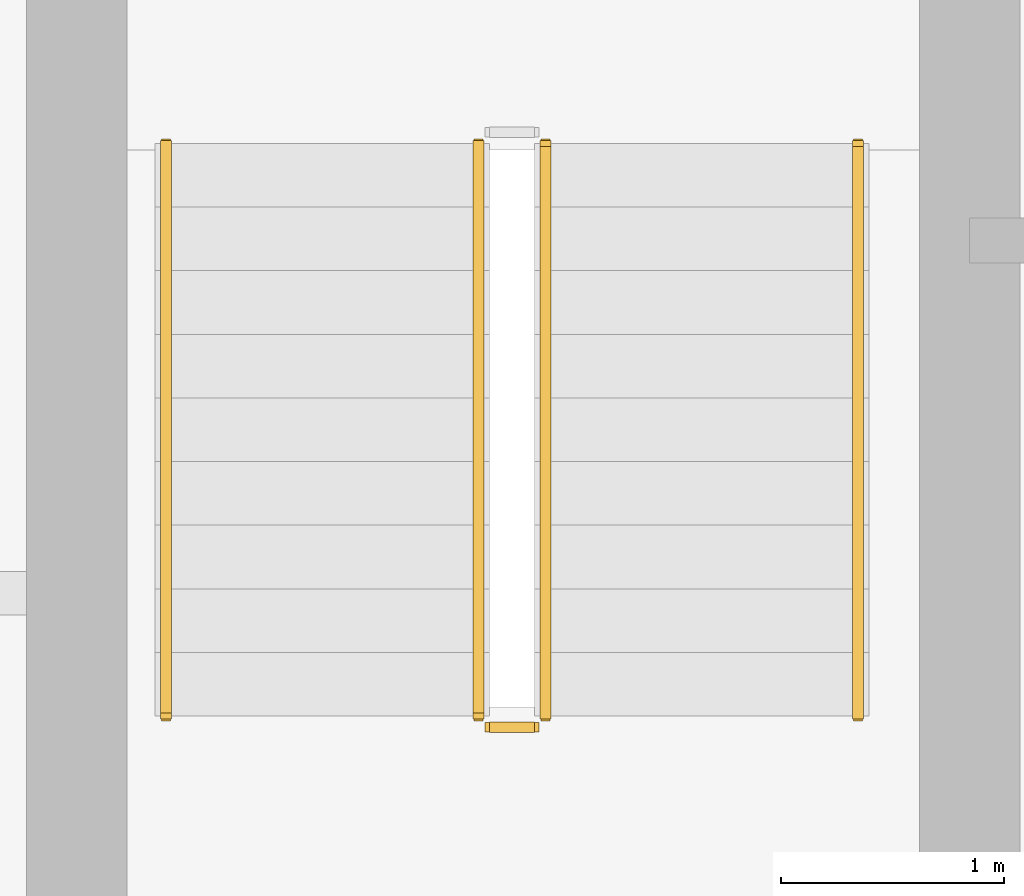
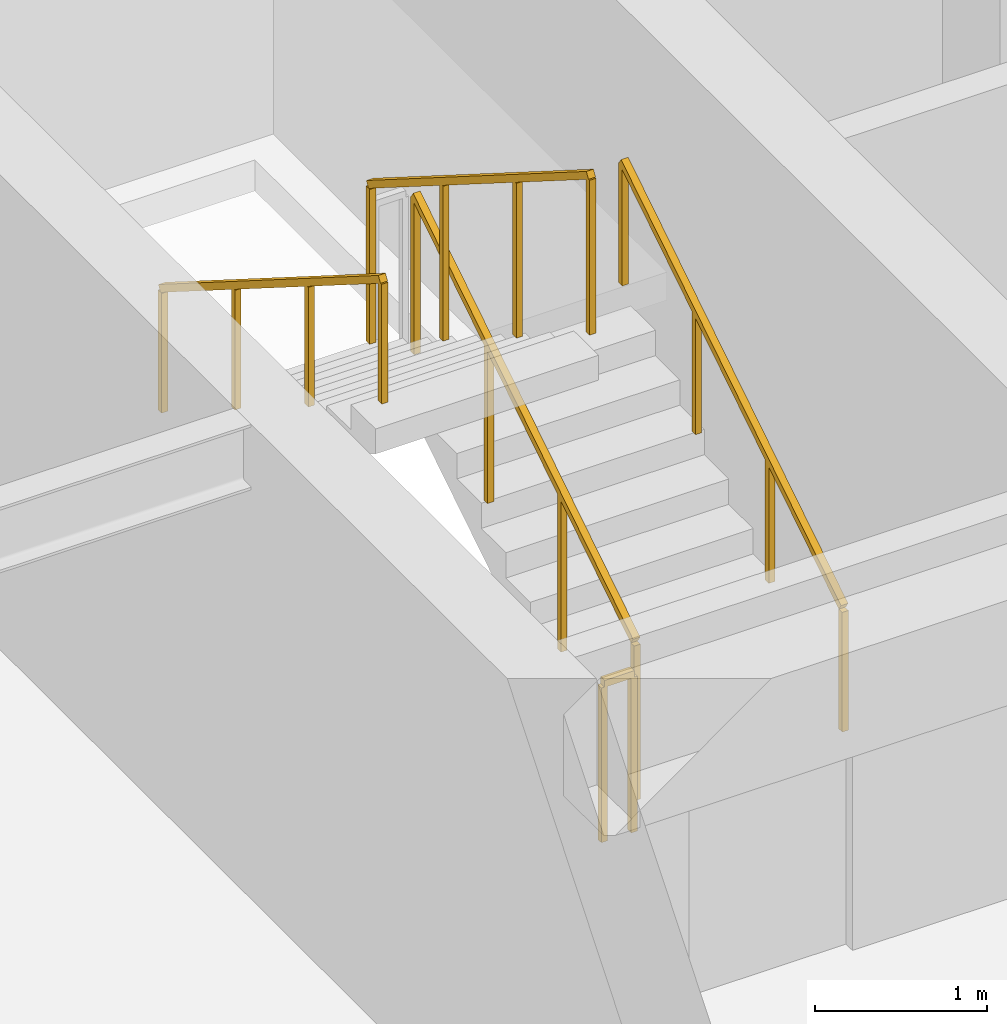
# One storey, part 28 of 30: 5 railings.
"""IFC4 building model written with IfcOpenShell, lengths in metres."""

from ifc_helpers import new_model, si_unit, direction, frame, origin, origin_2d, place, context, subcontext, project, spatial, rectangle, extrude, material, type_object, element, save


model = new_model("IFC4")

# Units and contexts
model_context = context("Model", 3, precision=1e-05, world=origin(), true_north=direction((0.0, 1.0)))
body_context = subcontext(model_context, "Body", "Model", "MODEL_VIEW")
ifc_project = project(units=[si_unit("LENGTHUNIT", "METRE"), si_unit("AREAUNIT", "SQUARE_METRE"), si_unit("VOLUMEUNIT", "CUBIC_METRE"), si_unit("PLANEANGLEUNIT", "RADIAN"), si_unit("MASSUNIT", "GRAM", prefix="KILO")], contexts=[model_context])

# Site, building, storey
site_placement = place(None, origin())
site = spatial("IfcSite", under=ifc_project, at=site_placement, CompositionType="ELEMENT")
building_placement = place(site_placement, origin())
building = spatial("IfcBuilding", under=site, at=building_placement, Name="Sarneth Arch Tower", CompositionType="ELEMENT")
storey_placement = place(building_placement, frame((0.0, 0.0, 168.60009765625)))
storey = spatial("IfcBuildingStorey", under=building, at=storey_placement, Name="L42", CompositionType="ELEMENT", Elevation=168.60009765625)

# Railings
ifc_material_1 = material(Name="Brushed Stainless Steel 304 tubular handrail", Category="steel")
railing_type_1 = type_object("IfcRailingType", Name="RAIL-HANDRAIL-900", PredefinedType="HANDRAIL", material=ifc_material_1)
railing_1_placement = place(storey_placement, frame((40.5, 41.449951171875, 0.179931640625)))
element("IfcRailing", 1, at=railing_1_placement, inside=storey, type_object=railing_type_1, Name="L42 ST-1 stair handrail 1", PredefinedType="HANDRAIL", context=body_context, shape_type="SweptSolid", body=[
    extrude(rectangle(XDim=0.048095703125, YDim=0.048095703125, at=origin_2d()), frame((0.0, 0.0, 0.8759765625), z_axis=(0.0, 0.845502289212, 0.533971796014), x_axis=(-1.0, 0.0, 0.0)), (0.0, 0.0, 1.0), 3.03369140625),
    extrude(rectangle(XDim=0.0419921875, YDim=0.0419921875, at=origin_2d()), origin(), (0.0, 0.0, 1.0), 0.851806640625),
    extrude(rectangle(XDim=0.0419921875, YDim=0.0419921875, at=origin_2d()), frame((0.0, 0.85498046875, 0.5400390625)), (0.0, 0.0, 1.0), 0.851806640625),
    extrude(rectangle(XDim=0.0419921875, YDim=0.0419921875, at=origin_2d()), frame((0.0, 1.7099609375, 1.079833984375)), (0.0, 0.0, 1.0), 0.851806640625),
    extrude(rectangle(XDim=0.0419921875, YDim=0.0419921875, at=origin_2d()), frame((0.0, 2.56494140625, 1.619873046875)), (0.0, 0.0, 1.0), 0.851806640625),
])
railing_2_placement = place(storey_placement, frame((37.39990234375, 44.014892578125, 1.97998046875)))
element("IfcRailing", 2, at=railing_2_placement, inside=storey, type_object=railing_type_1, Name="L42 ST-1 stair handrail 2", PredefinedType="HANDRAIL", context=body_context, shape_type="SweptSolid", body=[
    extrude(rectangle(XDim=0.048095703125, YDim=0.048095703125, at=origin_2d()), frame((0.0, 0.0, 0.8759765625), z_axis=(0.0, -0.845502289212, 0.533971796014), x_axis=(1.0, 0.0, 0.0)), (0.0, 0.0, 1.0), 3.03369140625),
    extrude(rectangle(XDim=0.0419921875, YDim=0.0419921875, at=origin_2d()), origin(), (0.0, 0.0, 1.0), 0.851806640625),
    extrude(rectangle(XDim=0.0419921875, YDim=0.0419921875, at=origin_2d()), frame((0.0, -0.85498046875, 0.5400390625)), (0.0, 0.0, 1.0), 0.851806640625),
    extrude(rectangle(XDim=0.0419921875, YDim=0.0419921875, at=origin_2d()), frame((0.0, -1.7099609375, 1.079833984375)), (0.0, 0.0, 1.0), 0.851806640625),
    extrude(rectangle(XDim=0.0419921875, YDim=0.0419921875, at=origin_2d()), frame((0.0, -2.56494140625, 1.619873046875)), (0.0, 0.0, 1.0), 0.851806640625),
])
ifc_material_2 = material(Name="Painted Steel S275 stair well guard", Category="steel")
railing_type_2 = type_object("IfcRailingType", Name="RAIL-STAIR-GUARD", PredefinedType="GUARDRAIL", material=ifc_material_2)
railing_3_placement = place(storey_placement, frame((39.10009765625, 41.449951171875, 0.179931640625)))
element("IfcRailing", 3, at=railing_3_placement, inside=storey, type_object=railing_type_2, Name="L42 ST-1 stair guard 1", PredefinedType="GUARDRAIL", context=body_context, shape_type="SweptSolid", body=[
    extrude(rectangle(XDim=0.048095703125, YDim=0.048095703125, at=origin_2d()), frame((0.0, 0.0, 1.1259765625), z_axis=(0.0, 0.845502289212, 0.533971796014), x_axis=(-1.0, 0.0, 0.0)), (0.0, 0.0, 1.0), 3.03369140625),
    extrude(rectangle(XDim=0.0419921875, YDim=0.0419921875, at=origin_2d()), origin(), (0.0, 0.0, 1.0), 1.101806640625),
    extrude(rectangle(XDim=0.0419921875, YDim=0.0419921875, at=origin_2d()), frame((0.0, 0.85498046875, 0.5400390625)), (0.0, 0.0, 1.0), 1.101806640625),
    extrude(rectangle(XDim=0.0419921875, YDim=0.0419921875, at=origin_2d()), frame((0.0, 1.7099609375, 1.079833984375)), (0.0, 0.0, 1.0), 1.101806640625),
    extrude(rectangle(XDim=0.0419921875, YDim=0.0419921875, at=origin_2d()), frame((0.0, 2.56494140625, 1.619873046875)), (0.0, 0.0, 1.0), 1.101806640625),
])
railing_4_placement = place(storey_placement, frame((38.800048828125, 44.014892578125, 1.97998046875)))
element("IfcRailing", 4, at=railing_4_placement, inside=storey, type_object=railing_type_2, Name="L42 ST-1 stair guard 3", PredefinedType="GUARDRAIL", context=body_context, shape_type="SweptSolid", body=[
    extrude(rectangle(XDim=0.048095703125, YDim=0.048095703125, at=origin_2d()), frame((0.0, 0.0, 1.1259765625), z_axis=(0.0, -0.845502289212, 0.533971796014), x_axis=(1.0, 0.0, 0.0)), (0.0, 0.0, 1.0), 3.03369140625),
    extrude(rectangle(XDim=0.0419921875, YDim=0.0419921875, at=origin_2d()), origin(), (0.0, 0.0, 1.0), 1.101806640625),
    extrude(rectangle(XDim=0.0419921875, YDim=0.0419921875, at=origin_2d()), frame((0.0, -0.85498046875, 0.5400390625)), (0.0, 0.0, 1.0), 1.101806640625),
    extrude(rectangle(XDim=0.0419921875, YDim=0.0419921875, at=origin_2d()), frame((0.0, -1.7099609375, 1.079833984375)), (0.0, 0.0, 1.0), 1.101806640625),
    extrude(rectangle(XDim=0.0419921875, YDim=0.0419921875, at=origin_2d()), frame((0.0, -2.56494140625, 1.619873046875)), (0.0, 0.0, 1.0), 1.101806640625),
])
railing_5_placement = place(storey_placement, frame((39.050048828125, 41.39990234375, 0.0)))
element("IfcRailing", 5, at=railing_5_placement, inside=storey, type_object=railing_type_2, Name="L42 ST-1 stair guard 4", PredefinedType="GUARDRAIL", context=body_context, shape_type="SweptSolid", body=[
    extrude(rectangle(XDim=0.048095703125, YDim=0.048095703125, at=origin_2d()), frame((0.0, 0.0, 1.1259765625), z_axis=(-1.0, 0.0, 0.0), x_axis=(0.0, -1.0, 0.0)), (0.0, 0.0, 1.0), 0.199951171875),
    extrude(rectangle(XDim=0.0419921875, YDim=0.0419921875, at=origin_2d()), origin(), (0.0, 0.0, 1.0), 1.101806640625),
    extrude(rectangle(XDim=0.0419921875, YDim=0.0419921875, at=origin_2d()), frame((-0.199951171875, 0.0, 0.0)), (0.0, 0.0, 1.0), 1.101806640625),
])

save(model, "model.ifc")
